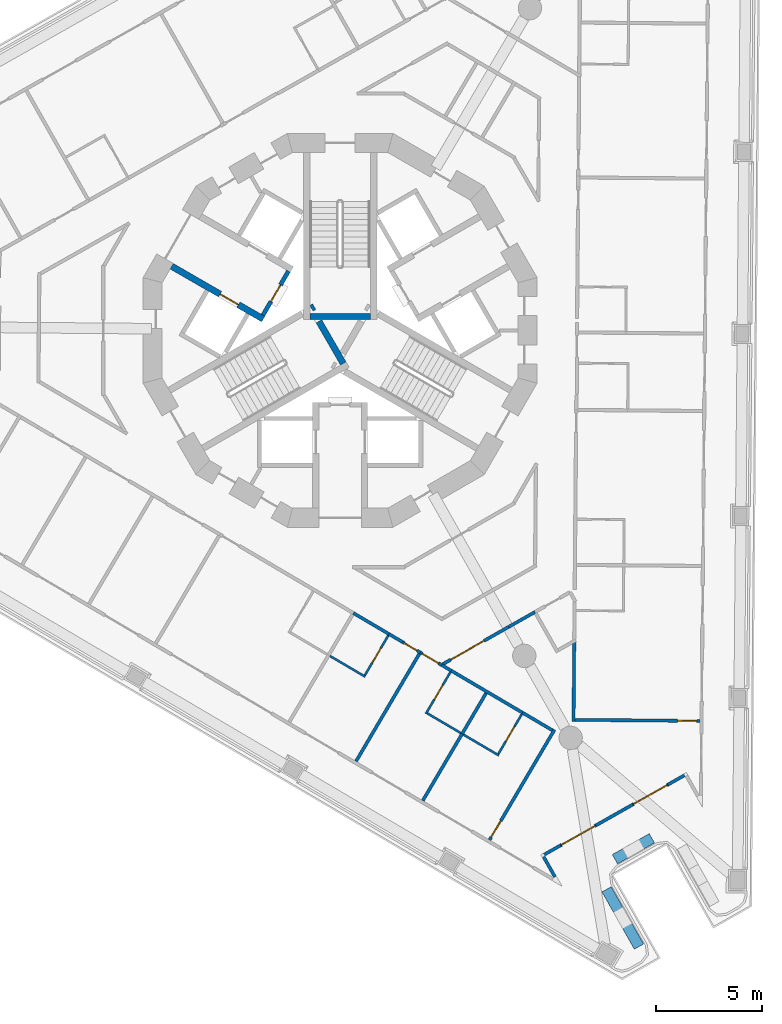
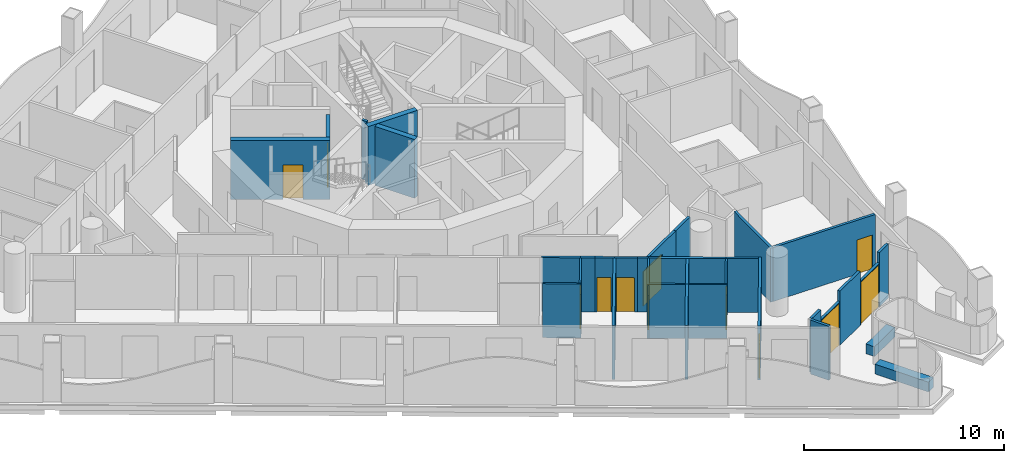
# One storey, part 4 of 17: 34 walls, 12 doors, 12 openings.
"""IFC4 building model written with IfcOpenShell, lengths in metres."""

from ifc_helpers import new_model, si_unit, direction, frame, frame_2d, origin, place, context, subcontext, project, spatial, polyline, rectangle, outline, extrude, material, layer, layer_set, type_object, element, fill, save


model = new_model("IFC4")

# Units and contexts
model_context = context("Model", 3, precision=1e-05, world=origin(), true_north=direction((0.0, 1.0)))
body_context = subcontext(model_context, "Body", "Model", "MODEL_VIEW")
ifc_project = project(units=[si_unit("LENGTHUNIT", "METRE"), si_unit("AREAUNIT", "SQUARE_METRE"), si_unit("VOLUMEUNIT", "CUBIC_METRE"), si_unit("PLANEANGLEUNIT", "RADIAN"), si_unit("MASSUNIT", "GRAM", prefix="KILO")], contexts=[model_context])

# Site, building, storey
site_placement = place(None, origin())
site = spatial("IfcSite", under=ifc_project, at=site_placement, CompositionType="ELEMENT")
building_placement = place(site_placement, origin())
building = spatial("IfcBuilding", under=site, at=building_placement, Name="Trine Commons Tower", CompositionType="ELEMENT")
storey_placement = place(building_placement, frame((0.0, 0.0, 182.699951171875)))
storey = spatial("IfcBuildingStorey", under=building, at=storey_placement, Name="L47", CompositionType="ELEMENT", Elevation=182.699951171875)

# Wall
ifc_material_1 = material(Name="Aluminium-framed insulated wall panel", Category="aluminium")
ifc_layer_1 = layer(ifc_material_1, 0.14990234375)
ifc_layer_set_1 = layer_set([ifc_layer_1], Name="Aluminium-framed insulated wall panel")
wall_type_1 = type_object("IfcWallType", Name="Glazed frame wall 150, EI 60", PredefinedType="SOLIDWALL", material=ifc_layer_set_1)
wall_1_placement = place(storey_placement, frame((96.30078125, 41.6083984375, 0.0), z_axis=(0.0, 0.0, 1.0), x_axis=(-0.870353598469, -0.492427267353, 0.0)))
element("IfcWall", 1, at=wall_1_placement, inside=storey, type_object=wall_type_1, Name="Glazed frame wall P3.1", PredefinedType="SOLIDWALL", context=body_context, shape_type="SweptSolid", body=[
    extrude(outline(polyline([(0.110107421875, -0.074951171875), (1.0, -0.074951171875), (1.0, 0.074951171875), (0.110107421875, 0.074951171875), (0.110107421875, -0.074951171875)])), origin(), (0.0, 0.0, 1.0), 3.300048828125),
])

# Wall, opening, door
wall_2_placement = place(storey_placement, frame((95.430419921875, 41.115966796875, 0.0), z_axis=(0.0, 0.0, 1.0), x_axis=(-0.870354540841, -0.492425601728, 0.0)))
wall_2 = element("IfcWall", 2, at=wall_2_placement, inside=storey, type_object=wall_type_1, Name="Glazed frame wall P3.2", PredefinedType="SOLIDWALL", context=body_context, shape_type="SweptSolid", body=[
    extrude(outline(polyline([(0.0, -0.074951171875), (1.89990234375, -0.074951171875), (1.89990234375, 0.074951171875), (0.0, 0.074951171875), (0.0, -0.074951171875)])), origin(), (0.0, 0.0, 1.0), 2.650146484375),
])
opening_1_placement = place(wall_2_placement, frame((0.050048828125, 0.0, 0.0)))
opening_1 = element("IfcOpeningElement", 3, at=opening_1_placement, cuts=wall_2, Name="Opening BD-5P3-01", PredefinedType="OPENING", context=body_context, shape_type="SweptSolid", body=[
    extrude(rectangle(XDim=1.800048828125, YDim=2.60009765625, at=frame_2d((0.89990234375, 1.300048828125))), frame((0.0, 0.0849609375, 0.0), z_axis=(0.0, -1.0, 0.0), x_axis=(1.0, 0.0, 0.0)), (0.0, 0.0, 1.0), 0.169921875),
])
ifc_material_2 = material(Name="Anodised aluminium frame with double glazing", Category="aluminium")
door_type_1 = type_object("IfcDoorType", Name="Sliding loggia door 1800x2600", OperationType="SLIDING_TO_LEFT", PredefinedType="DOOR", material=ifc_material_2)
door_1_placement = place(opening_1_placement, origin())
door_1 = element("IfcDoor", 4, at=door_1_placement, inside=storey, type_object=door_type_1, Name="Loggia door P3 1", OperationType="SLIDING_TO_LEFT", OverallHeight=2.60009765625, OverallWidth=1.800048828125, PredefinedType="DOOR", context=body_context, shape_type="SweptSolid", body=[
    extrude(rectangle(XDim=1.800048828125, YDim=2.60009765625, at=frame_2d((0.89990234375, 1.300048828125))), frame((0.0, 0.02490234375, 0.0), z_axis=(0.0, -1.0, 0.0), x_axis=(1.0, 0.0, 0.0)), (0.0, 0.0, 1.0), 0.050048828125),
])
fill(opening_1, door_1)

# Wall
wall_3_placement = place(storey_placement, frame((93.77685546875, 40.180419921875, 0.0), z_axis=(0.0, 0.0, 1.0), x_axis=(-0.870353598469, -0.492427267353, 0.0)))
element("IfcWall", 5, at=wall_3_placement, inside=storey, type_object=wall_type_1, Name="Glazed frame wall P3.3", PredefinedType="SOLIDWALL", context=body_context, shape_type="SweptSolid", body=[
    extrude(outline(polyline([(0.0, -0.074951171875), (2.0, -0.074951171875), (2.0, 0.074951171875), (0.0, 0.074951171875), (0.0, -0.074951171875)])), origin(), (0.0, 0.0, 1.0), 3.300048828125),
])

# Wall, opening, door
wall_4_placement = place(storey_placement, frame((92.0361328125, 39.195556640625, 0.0), z_axis=(0.0, 0.0, 1.0), x_axis=(-0.870385695537, -0.492370532226, 0.0)))
wall_4 = element("IfcWall", 6, at=wall_4_placement, inside=storey, type_object=wall_type_1, Name="Glazed frame wall P3.4", PredefinedType="SOLIDWALL", context=body_context, shape_type="SweptSolid", body=[
    extrude(outline(polyline([(0.0, -0.074951171875), (1.89990234375, -0.074951171875), (1.89990234375, 0.074951171875), (0.0, 0.074951171875), (0.0, -0.074951171875)])), origin(), (0.0, 0.0, 1.0), 2.650146484375),
])
opening_2_placement = place(wall_4_placement, frame((0.050048828125, 0.0, 0.0)))
opening_2 = element("IfcOpeningElement", 7, at=opening_2_placement, cuts=wall_4, Name="Opening BD-5P3-02", PredefinedType="OPENING", context=body_context, shape_type="SweptSolid", body=[
    extrude(rectangle(XDim=1.800048828125, YDim=2.60009765625, at=frame_2d((0.89990234375, 1.300048828125))), frame((0.0, 0.0849609375, 0.0), z_axis=(0.0, -1.0, 0.0), x_axis=(1.0, 0.0, 0.0)), (0.0, 0.0, 1.0), 0.169921875),
])
door_2_placement = place(opening_2_placement, origin())
door_2 = element("IfcDoor", 8, at=door_2_placement, inside=storey, type_object=door_type_1, Name="Loggia door P3 2", OperationType="SLIDING_TO_LEFT", OverallHeight=2.60009765625, OverallWidth=1.800048828125, PredefinedType="DOOR", context=body_context, shape_type="SweptSolid", body=[
    extrude(rectangle(XDim=1.800048828125, YDim=2.60009765625, at=frame_2d((0.89990234375, 1.300048828125))), frame((0.0, 0.02490234375, 0.0), z_axis=(0.0, -1.0, 0.0), x_axis=(1.0, 0.0, 0.0)), (0.0, 0.0, 1.0), 0.050048828125),
])
fill(opening_2, door_2)

# Walls
wall_5_placement = place(storey_placement, frame((90.38232421875, 38.260009765625, 0.0), z_axis=(0.0, 0.0, 1.0), x_axis=(-0.870294379776, -0.492531920316, 0.0)))
element("IfcWall", 9, at=wall_5_placement, inside=storey, type_object=wall_type_1, Name="Glazed frame wall P3.5", PredefinedType="SOLIDWALL", context=body_context, shape_type="SweptSolid", body=[
    extrude(outline(polyline([(0.889892578125, 0.074951171875), (0.0, 0.074951171875), (0.0, -0.074951171875), (0.889892578125, -0.074951171875), (0.889892578125, 0.074951171875)])), origin(), (0.0, 0.0, 1.0), 3.300048828125),
])
wall_6_placement = place(storey_placement, frame((89.525390625, 37.815185546875, 0.0), z_axis=(0.0, 0.0, 1.0), x_axis=(0.492302481267, -0.870424187933, 0.0)))
element("IfcWall", 10, at=wall_6_placement, inside=storey, type_object=wall_type_1, Name="Glazed frame wall R11", PredefinedType="SOLIDWALL", context=body_context, shape_type="SweptSolid", body=[
    extrude(outline(polyline([(0.110107421875, 0.074951171875), (0.110107421875, -0.074951171875), (1.19580078125, -0.074951171875), (1.19580078125, 0.074951171875), (0.110107421875, 0.074951171875)])), origin(), (0.0, 0.0, 1.0), 3.300048828125),
])

# Wall, opening, door
ifc_material_3 = material(Name="Fire-rated gypsum shaft wall system")
ifc_layer_2 = layer(ifc_material_3, 0.199951171875)
ifc_layer_set_2 = layer_set([ifc_layer_2], Name="Fire-rated gypsum shaft wall system")
wall_type_2 = type_object("IfcWallType", Name="Lobby end wall 200 mm, EI 120", PredefinedType="PARTITIONING", material=ifc_layer_set_2)
wall_7_placement = place(storey_placement, frame((77.569091796875, 65.2890625, 0.0), z_axis=(0.0, 0.0, 1.0), x_axis=(-0.50012165622, -0.865955154139, 0.0)))
wall_7 = element("IfcWall", 11, at=wall_7_placement, inside=storey, type_object=wall_type_2, Name="Lobby end wall L47", PredefinedType="PARTITIONING", context=body_context, shape_type="SweptSolid", body=[
    extrude(rectangle(XDim=2.39990234375, YDim=0.199951171875, at=frame_2d((1.199951171875, 0.0))), origin(), (0.0, 0.0, 1.0), 3.300048828125),
])
opening_3_placement = place(wall_7_placement, frame((0.749755859375, 0.0, 0.0)))
opening_3 = element("IfcOpeningElement", 12, at=opening_3_placement, cuts=wall_7, Name="Opening K10.07", PredefinedType="OPENING", context=body_context, shape_type="SweptSolid", body=[
    extrude(rectangle(XDim=0.89990234375, YDim=2.10009765625, at=frame_2d((0.449951171875, 1.050048828125))), frame((0.0, 0.10986328125, 0.0), z_axis=(0.0, -1.0, 0.0), x_axis=(1.0, 0.0, 0.0)), (0.0, 0.0, 1.0), 0.219970703125),
])
ifc_material_4 = material(Name="Steel door leaf, fire-rated", Category="steel")
door_type_2 = type_object("IfcDoorType", Name="Riser access door, single leaf 900 x 2100, FD60", OperationType="SINGLE_SWING_LEFT", PredefinedType="DOOR", material=ifc_material_4)
door_3_placement = place(opening_3_placement, frame((0.89990234375, 0.0, 0.0), z_axis=(0.0, 0.0, 1.0), x_axis=(-1.0, 0.0, 0.0)))
door_3 = element("IfcDoor", 13, at=door_3_placement, inside=storey, type_object=door_type_2, Name="Riser door, Mechanical riser L47", OperationType="SINGLE_SWING_RIGHT", OverallHeight=2.10009765625, OverallWidth=0.89990234375, PredefinedType="DOOR", context=body_context, shape_type="SweptSolid", body=[
    extrude(rectangle(XDim=0.89990234375, YDim=2.10009765625, at=frame_2d((0.449951171875, 1.050048828125))), frame((0.0, 0.02490234375, 0.0), z_axis=(0.0, -1.0, 0.0), x_axis=(1.0, 0.0, 0.0)), (0.0, 0.0, 1.0), 0.050048828125),
])
fill(opening_3, door_3)

# Walls
ifc_material_5 = material(Name="Planter trough, precast concrete C40/50", Category="concrete")
ifc_layer_3 = layer(ifc_material_5, 0.5)
ifc_layer_set_3 = layer_set([ifc_layer_3], Name="Planter trough, precast concrete C40/50")
wall_type_3 = type_object("IfcWallType", Name="Planter trough 500x600", PredefinedType="PARAPET", material=ifc_layer_set_3)
wall_8_placement = place(storey_placement, frame((94.67529296875, 38.592041015625, 0.0), z_axis=(0.0, 0.0, 1.0), x_axis=(-0.870323993841, -0.492479589165, 0.0)))
element("IfcWall", 14, at=wall_8_placement, inside=storey, type_object=wall_type_3, Name="Planter 8", PredefinedType="PARAPET", context=body_context, shape_type="SweptSolid", body=[
    extrude(rectangle(XDim=1.999755859375, YDim=0.5, at=frame_2d((1.0, 0.0))), origin(), (0.0, 0.0, 1.0), 0.60009765625),
])
wall_9_placement = place(storey_placement, frame((92.541748046875, 36.189697265625, 0.0), z_axis=(0.0, 0.0, 1.0), x_axis=(0.492402381783, -0.870367677717, 0.0)))
element("IfcWall", 15, at=wall_9_placement, inside=storey, type_object=wall_type_3, Name="Planter 9", PredefinedType="PARAPET", context=body_context, shape_type="SweptSolid", body=[
    extrude(rectangle(XDim=3.099853515625, YDim=0.5, at=frame_2d((1.5498046875, 0.0))), origin(), (0.0, 0.0, 1.0), 0.60009765625),
])

# Wall, opening, door
ifc_material_6 = material(Name="Concrete C60/75", Category="concrete")
ifc_layer_4 = layer(ifc_material_6, 0.300048828125)
ifc_layer_set_4 = layer_set([ifc_layer_4], Name="Concrete C60/75")
wall_type_4 = type_object("IfcWallType", Name="RC shear wall 300 mm, C60/75", PredefinedType="SHEAR", material=ifc_layer_set_4)
wall_10_placement = place(storey_placement, frame((76.381103515625, 63.031005859375, 0.0), z_axis=(0.0, 0.0, 1.0), x_axis=(-0.866080953719, 0.499903772346, 0.0)))
wall_10 = element("IfcWall", 16, at=wall_10_placement, inside=storey, type_object=wall_type_4, Name="Core cross wall SWB-01 L47", PredefinedType="SHEAR", context=body_context, shape_type="SweptSolid", body=[
    extrude(rectangle(XDim=4.97314453125, YDim=0.300048828125, at=frame_2d((2.486572265625, 0.0))), origin(), (0.0, 0.0, 1.0), 3.60009765625),
])
opening_4_placement = place(wall_10_placement, frame((1.350341796875, 0.0, 0.0)))
opening_4 = element("IfcOpeningElement", 17, at=opening_4_placement, cuts=wall_10, Name="Opening LD7", PredefinedType="OPENING", context=body_context, shape_type="SweptSolid", body=[
    extrude(rectangle(XDim=1.0, YDim=2.10009765625, at=frame_2d((0.5, 1.050048828125))), frame((0.0, 0.159912109375, 0.0), z_axis=(0.0, -1.0, 0.0), x_axis=(1.0, 0.0, 0.0)), (0.0, 0.0, 1.0), 0.320068359375),
])
ifc_material_7 = material(Name="Stainless steel sliding door leaves", Category="steel")
door_type_3 = type_object("IfcDoorType", Name="Lift landing door, centre-opening sliding 1000 x 2100, FD90", OperationType="DOUBLE_DOOR_SLIDING", PredefinedType="DOOR", material=ifc_material_7)
door_4_placement = place(opening_4_placement, origin())
door_4 = element("IfcDoor", 18, at=door_4_placement, inside=storey, type_object=door_type_3, Name="Lift landing door HR3 L47", OperationType="DOUBLE_DOOR_SLIDING", OverallHeight=2.10009765625, OverallWidth=1.0, PredefinedType="DOOR", context=body_context, shape_type="SweptSolid", body=[
    extrude(rectangle(XDim=1.0, YDim=2.10009765625, at=frame_2d((0.5, 1.050048828125))), frame((0.0, 0.02490234375, 0.0), z_axis=(0.0, -1.0, 0.0), x_axis=(1.0, 0.0, 0.0)), (0.0, 0.0, 1.0), 0.050048828125),
])
fill(opening_4, door_4)

# Walls
wall_11_placement = place(storey_placement, frame((78.779052734375, 63.614013671875, 0.0), z_axis=(0.0, 0.0, 1.0), x_axis=(-0.867737973955, -0.497021939713, 0.0)))
element("IfcWall", 19, at=wall_11_placement, inside=storey, type_object=wall_type_4, Name="Core cross wall SWB-09 L47", PredefinedType="SHEAR", context=body_context, shape_type="SweptSolid", body=[
    extrude(rectangle(XDim=0.14892578125, YDim=0.300048828125, at=frame_2d((0.074462890625, 0.0))), origin(), (0.0, 0.0, 1.0), 3.60009765625),
])
wall_12_placement = place(storey_placement, frame((79.0029296875, 62.926025390625, 0.0), z_axis=(0.0, 0.0, 1.0), x_axis=(0.499965247104, -0.866045467449, 0.0)))
element("IfcWall", 20, at=wall_12_placement, inside=storey, type_object=wall_type_4, Name="Core cross wall SWB-10 L47", PredefinedType="SHEAR", context=body_context, shape_type="SweptSolid", body=[
    extrude(rectangle(XDim=2.292236328125, YDim=0.300048828125, at=frame_2d((1.14599609375, 0.0))), origin(), (0.0, 0.0, 1.0), 3.60009765625),
])
wall_13_placement = place(storey_placement, frame((81.425048828125, 63.15087890625, 0.0), z_axis=(0.0, 0.0, 1.0), x_axis=(-1.0, 0.0, 0.0)))
element("IfcWall", 21, at=wall_13_placement, inside=storey, type_object=wall_type_4, Name="Core cross wall SWB-16 L47", PredefinedType="SHEAR", context=body_context, shape_type="SweptSolid", body=[
    extrude(rectangle(XDim=2.85009765625, YDim=0.300048828125, at=frame_2d((1.425048828125, 0.0))), origin(), (0.0, 0.0, 1.0), 3.60009765625),
])
ifc_material_8 = material(Name="Gypsum plasterboard on steel stud", Category="steel")
ifc_layer_5 = layer(ifc_material_8, 0.14990234375)
ifc_layer_set_5 = layer_set([ifc_layer_5], Name="Gypsum plasterboard on steel stud")
wall_type_5 = type_object("IfcWallType", Name="Unit and corridor wall 150 mm, EI 60", PredefinedType="PARTITIONING", material=ifc_layer_set_5)
wall_14_placement = place(storey_placement, frame((80.6240234375, 49.194091796875, 0.0), z_axis=(0.0, 0.0, 1.0), x_axis=(0.861395924151, -0.507934111727, 0.0)))
element("IfcWall", 22, at=wall_14_placement, inside=storey, type_object=wall_type_5, Name="Partition 056", PredefinedType="PARTITIONING", context=body_context, shape_type="SweptSolid", body=[
    extrude(rectangle(XDim=2.00732421875, YDim=0.14990234375, at=frame_2d((1.003662109375, 0.0))), origin(), (0.0, 0.0, 1.0), 3.300048828125),
])
wall_15_placement = place(storey_placement, frame((80.750244140625, 42.215576171875, 0.0), z_axis=(0.0, 0.0, 1.0), x_axis=(0.507497807972, 0.86165304787, 0.0)))
element("IfcWall", 23, at=wall_15_placement, inside=storey, type_object=wall_type_5, Name="Partition 059", PredefinedType="PARTITIONING", context=body_context, shape_type="SweptSolid", body=[
    extrude(rectangle(XDim=5.873291015625, YDim=0.14990234375, at=frame_2d((2.9365234375, 0.0))), origin(), (0.0, 0.0, 1.0), 3.300048828125),
])
wall_16_placement = place(storey_placement, frame((82.303955078125, 48.2041015625, 0.0), z_axis=(0.0, 0.0, 1.0), x_axis=(0.861676633233, -0.507457761532, 0.0)))
element("IfcWall", 24, at=wall_16_placement, inside=storey, type_object=wall_type_5, Name="Partition 066", PredefinedType="PARTITIONING", context=body_context, shape_type="SweptSolid", body=[
    extrude(rectangle(XDim=0.731201171875, YDim=0.14990234375, at=frame_2d((0.36572265625, 0.0))), origin(), (0.0, 0.0, 1.0), 3.300048828125),
])

# Wall, opening, door
wall_17_placement = place(storey_placement, frame((82.93408203125, 47.8330078125, 0.0), z_axis=(0.0, 0.0, 1.0), x_axis=(0.861475716629, -0.507798768864, 0.0)))
wall_17 = element("IfcWall", 25, at=wall_17_placement, inside=storey, type_object=wall_type_5, Name="Partition 067", PredefinedType="PARTITIONING", context=body_context, shape_type="SweptSolid", body=[
    extrude(rectangle(XDim=0.97265625, YDim=0.14990234375, at=frame_2d((0.486328125, 0.0))), origin(), (0.0, 0.0, 1.0), 3.300048828125),
])
opening_5_placement = place(wall_17_placement, frame((0.1005859375, 0.0, 0.0)))
opening_5 = element("IfcOpeningElement", 26, at=opening_5_placement, cuts=wall_17, Name="Opening D-5C22", PredefinedType="OPENING", context=body_context, shape_type="SweptSolid", body=[
    extrude(rectangle(XDim=0.699951171875, YDim=2.10009765625, at=frame_2d((0.35009765625, 1.050048828125))), frame((0.0, 0.0849609375, 0.0), z_axis=(0.0, -1.0, 0.0), x_axis=(1.0, 0.0, 0.0)), (0.0, 0.0, 1.0), 0.169921875),
])
ifc_material_9 = material(Name="Timber fire door set", Category="wood")
door_type_4 = type_object("IfcDoorType", Name="Bedroom door 700 x 2100, FD30S", OperationType="NOTDEFINED", PredefinedType="DOOR", material=ifc_material_9)
door_5_placement = place(opening_5_placement, frame((0.699951171875, 0.0, 0.0), z_axis=(0.0, 0.0, 1.0), x_axis=(-1.0, 0.0, 0.0)))
door_5 = element("IfcDoor", 27, at=door_5_placement, inside=storey, type_object=door_type_4, Name="Door D-5C22", OperationType="SINGLE_SWING_RIGHT", OverallHeight=2.10009765625, OverallWidth=0.699951171875, PredefinedType="DOOR", context=body_context, shape_type="SweptSolid", body=[
    extrude(rectangle(XDim=0.699951171875, YDim=2.10009765625, at=frame_2d((0.35009765625, 1.050048828125))), frame((0.0, 0.02490234375, 0.0), z_axis=(0.0, -1.0, 0.0), x_axis=(1.0, 0.0, 0.0)), (0.0, 0.0, 1.0), 0.050048828125),
])
fill(opening_5, door_5)

wall_18_placement = place(storey_placement, frame((83.76611328125, 47.343017578125, 0.0), z_axis=(0.0, 0.0, 1.0), x_axis=(0.861734818552, -0.507358948374, 0.0)))
wall_18 = element("IfcWall", 28, at=wall_18_placement, inside=storey, type_object=wall_type_5, Name="Partition 070", PredefinedType="PARTITIONING", context=body_context, shape_type="SweptSolid", body=[
    extrude(rectangle(XDim=1.1650390625, YDim=0.14990234375, at=frame_2d((0.58251953125, 0.0))), origin(), (0.0, 0.0, 1.0), 3.300048828125),
])
opening_6_placement = place(wall_18_placement, frame((0.109619140625, 0.0, 0.0)))
opening_6 = element("IfcOpeningElement", 29, at=opening_6_placement, cuts=wall_18, Name="Opening D-5C21", PredefinedType="OPENING", context=body_context, shape_type="SweptSolid", body=[
    extrude(rectangle(XDim=0.89990234375, YDim=2.10009765625, at=frame_2d((0.449951171875, 1.050048828125))), frame((0.0, 0.0849609375, 0.0), z_axis=(0.0, -1.0, 0.0), x_axis=(1.0, 0.0, 0.0)), (0.0, 0.0, 1.0), 0.169921875),
])
door_type_5 = type_object("IfcDoorType", Name="Bedroom door 900 x 2100, FD30S", OperationType="NOTDEFINED", PredefinedType="DOOR", material=ifc_material_9)
door_6_placement = place(opening_6_placement, frame((0.89990234375, 0.0, 0.0), z_axis=(0.0, 0.0, 1.0), x_axis=(-1.0, 0.0, 0.0)))
door_6 = element("IfcDoor", 30, at=door_6_placement, inside=storey, type_object=door_type_5, Name="Door D-5C21", OperationType="SINGLE_SWING_RIGHT", OverallHeight=2.10009765625, OverallWidth=0.89990234375, PredefinedType="DOOR", context=body_context, shape_type="SweptSolid", body=[
    extrude(rectangle(XDim=0.89990234375, YDim=2.10009765625, at=frame_2d((0.449951171875, 1.050048828125))), frame((0.0, 0.02490234375, 0.0), z_axis=(0.0, -1.0, 0.0), x_axis=(1.0, 0.0, 0.0)), (0.0, 0.0, 1.0), 0.050048828125),
])
fill(opening_6, door_6)

# Walls
wall_19_placement = place(storey_placement, frame((83.892333984375, 40.364501953125, 0.0), z_axis=(0.0, 0.0, 1.0), x_axis=(0.50751135469, 0.861645068959, 0.0)))
element("IfcWall", 31, at=wall_19_placement, inside=storey, type_object=wall_type_5, Name="Partition 071", PredefinedType="PARTITIONING", context=body_context, shape_type="SweptSolid", body=[
    extrude(rectangle(XDim=3.6484375, YDim=0.14990234375, at=frame_2d((1.82421875, 0.0))), origin(), (0.0, 0.0, 1.0), 3.300048828125),
])
wall_20_placement = place(storey_placement, frame((84.77001953125, 46.751953125, 0.0), z_axis=(0.0, 0.0, 1.0), x_axis=(0.861655023, -0.507494454491, 0.0)))
element("IfcWall", 32, at=wall_20_placement, inside=storey, type_object=wall_type_5, Name="Partition 077", PredefinedType="PARTITIONING", context=body_context, shape_type="SweptSolid", body=[
    extrude(rectangle(XDim=0.539794921875, YDim=0.14990234375, at=frame_2d((0.27001953125, 0.0))), origin(), (0.0, 0.0, 1.0), 3.300048828125),
])

# Wall, opening, door
wall_21_placement = place(storey_placement, frame((84.835205078125, 46.788818359375, 0.0), z_axis=(0.0, 0.0, 1.0), x_axis=(0.870381542182, 0.492377874228, 0.0)))
wall_21 = element("IfcWall", 33, at=wall_21_placement, inside=storey, type_object=wall_type_5, Name="Partition 078", PredefinedType="PARTITIONING", context=body_context, shape_type="SweptSolid", body=[
    extrude(rectangle(XDim=3.5625, YDim=0.14990234375, at=frame_2d((1.78125, 0.0))), origin(), (0.0, 0.0, 1.0), 2.75),
])
opening_7_placement = place(wall_21_placement, frame((0.435546875, 0.0, 0.0)))
opening_7 = element("IfcOpeningElement", 34, at=opening_7_placement, cuts=wall_21, Name="Opening D-5C02", PredefinedType="OPENING", context=body_context, shape_type="SweptSolid", body=[
    extrude(rectangle(XDim=1.800048828125, YDim=2.10009765625, at=frame_2d((0.89990234375, 1.050048828125))), frame((0.0, 0.0849609375, 0.0), z_axis=(0.0, -1.0, 0.0), x_axis=(1.0, 0.0, 0.0)), (0.0, 0.0, 1.0), 0.169921875),
])
door_type_6 = type_object("IfcDoorType", Name="Cluster entrance door 1800 x 2100, double leaf, FD30S", OperationType="DOUBLE_DOOR_DOUBLE_SWING", PredefinedType="DOOR", material=ifc_material_9)
door_7_placement = place(opening_7_placement, frame((1.800048828125, 0.0, 0.0), z_axis=(0.0, 0.0, 1.0), x_axis=(-1.0, 0.0, 0.0)))
door_7 = element("IfcDoor", 35, at=door_7_placement, inside=storey, type_object=door_type_6, Name="Door D-5C02", OperationType="DOUBLE_DOOR_DOUBLE_SWING", OverallHeight=2.10009765625, OverallWidth=1.800048828125, PredefinedType="DOOR", context=body_context, shape_type="SweptSolid", body=[
    extrude(rectangle(XDim=1.800048828125, YDim=2.10009765625, at=frame_2d((0.89990234375, 1.050048828125))), frame((0.0, 0.02490234375, 0.0), z_axis=(0.0, -1.0, 0.0), x_axis=(1.0, 0.0, 0.0)), (0.0, 0.0, 1.0), 0.050048828125),
])
fill(opening_7, door_7)

# Walls
wall_22_placement = place(storey_placement, frame((85.22900390625, 46.48193359375, 0.0), z_axis=(0.0, 0.0, 1.0), x_axis=(0.861496973754, -0.507762704629, 0.0)))
element("IfcWall", 36, at=wall_22_placement, inside=storey, type_object=wall_type_5, Name="Partition 084", PredefinedType="PARTITIONING", context=body_context, shape_type="SweptSolid", body=[
    extrude(rectangle(XDim=3.9072265625, YDim=0.14990234375, at=frame_2d((1.95361328125, 0.0))), origin(), (0.0, 0.0, 1.0), 3.300048828125),
])
wall_23_placement = place(storey_placement, frame((85.743896484375, 43.508056640625, 0.0), z_axis=(0.0, 0.0, 1.0), x_axis=(0.507719935198, 0.861522180447, 0.0)))
element("IfcWall", 37, at=wall_23_placement, inside=storey, type_object=wall_type_5, Name="Partition 085", PredefinedType="PARTITIONING", context=body_context, shape_type="SweptSolid", body=[
    extrude(rectangle(XDim=2.225341796875, YDim=0.14990234375, at=frame_2d((1.11279296875, 0.0))), origin(), (0.0, 0.0, 1.0), 3.300048828125),
])

# Wall, opening, door
wall_24_placement = place(storey_placement, frame((87.035400390625, 38.512451171875, 0.0), z_axis=(0.0, 0.0, 1.0), x_axis=(0.507392006532, 0.861715354225, 0.0)))
wall_24 = element("IfcWall", 38, at=wall_24_placement, inside=storey, type_object=wall_type_5, Name="Partition 089", PredefinedType="PARTITIONING", context=body_context, shape_type="SweptSolid", body=[
    extrude(rectangle(XDim=6.024169921875, YDim=0.14990234375, at=frame_2d((3.01220703125, 0.0))), origin(), (0.0, 0.0, 1.0), 3.300048828125),
])
opening_8_placement = place(wall_24_placement, frame((0.14990234375, 0.0, 0.0)))
opening_8 = element("IfcOpeningElement", 39, at=opening_8_placement, cuts=wall_24, Name="Opening D-5C20", PredefinedType="OPENING", context=body_context, shape_type="SweptSolid", body=[
    extrude(rectangle(XDim=0.89990234375, YDim=2.10009765625, at=frame_2d((0.449951171875, 1.050048828125))), frame((0.0, 0.0849609375, 0.0), z_axis=(0.0, -1.0, 0.0), x_axis=(1.0, 0.0, 0.0)), (0.0, 0.0, 1.0), 0.169921875),
])
door_8_placement = place(opening_8_placement, origin())
door_8 = element("IfcDoor", 40, at=door_8_placement, inside=storey, type_object=door_type_5, Name="Door D-5C20", OperationType="SINGLE_SWING_LEFT", OverallHeight=2.10009765625, OverallWidth=0.89990234375, PredefinedType="DOOR", context=body_context, shape_type="SweptSolid", body=[
    extrude(rectangle(XDim=0.89990234375, YDim=2.10009765625, at=frame_2d((0.449951171875, 1.050048828125))), frame((0.0, 0.02490234375, 0.0), z_axis=(0.0, -1.0, 0.0), x_axis=(1.0, 0.0, 0.0)), (0.0, 0.0, 1.0), 0.050048828125),
])
fill(opening_8, door_8)

# Walls
wall_25_placement = place(storey_placement, frame((87.93603515625, 48.54296875, 0.0), z_axis=(0.0, 0.0, 1.0), x_axis=(0.870505283706, 0.492159070871, 0.0)))
element("IfcWall", 41, at=wall_25_placement, inside=storey, type_object=wall_type_5, Name="Partition 093", PredefinedType="PARTITIONING", context=body_context, shape_type="SweptSolid", body=[
    extrude(rectangle(XDim=1.422119140625, YDim=0.14990234375, at=frame_2d((0.7109375, 0.0))), origin(), (0.0, 0.0, 1.0), 2.75),
])
wall_26_placement = place(storey_placement, frame((88.589111328125, 44.501953125, 0.0), z_axis=(0.0, 0.0, 1.0), x_axis=(0.861613540122, -0.507564880068, 0.0)))
element("IfcWall", 42, at=wall_26_placement, inside=storey, type_object=wall_type_5, Name="Partition 097", PredefinedType="PARTITIONING", context=body_context, shape_type="SweptSolid", body=[
    extrude(rectangle(XDim=1.625244140625, YDim=0.14990234375, at=frame_2d((0.8125, 0.0))), origin(), (0.0, 0.0, 1.0), 3.300048828125),
])
wall_27_placement = place(storey_placement, frame((90.98828125, 44.092041015625, 0.0), z_axis=(0.0, 0.0, 1.0), x_axis=(0.008789427608, 0.999961372235, 0.0)))
element("IfcWall", 43, at=wall_27_placement, inside=storey, type_object=wall_type_5, Name="Partition 105", PredefinedType="PARTITIONING", context=body_context, shape_type="SweptSolid", body=[
    extrude(rectangle(XDim=3.72216796875, YDim=0.14990234375, at=frame_2d((1.861083984375, 0.0))), origin(), (0.0, 0.0, 1.0), 3.300048828125),
])

# Wall, opening, door
wall_28_placement = place(storey_placement, frame((91.06396484375, 44.166259765625, 0.0), z_axis=(0.0, 0.0, 1.0), x_axis=(0.999962273479, -0.008686289076, 0.0)))
wall_28 = element("IfcWall", 44, at=wall_28_placement, inside=storey, type_object=wall_type_5, Name="Partition 106", PredefinedType="PARTITIONING", context=body_context, shape_type="SweptSolid", body=[
    extrude(rectangle(XDim=5.874267578125, YDim=0.14990234375, at=frame_2d((2.93701171875, 0.0))), origin(), (0.0, 0.0, 1.0), 3.300048828125),
])
opening_9_placement = place(wall_28_placement, frame((4.82421875, 0.0, 0.0)))
opening_9 = element("IfcOpeningElement", 45, at=opening_9_placement, cuts=wall_28, Name="Opening D-5C19", PredefinedType="OPENING", context=body_context, shape_type="SweptSolid", body=[
    extrude(rectangle(XDim=0.89990234375, YDim=2.10009765625, at=frame_2d((0.449951171875, 1.050048828125))), frame((0.0, 0.0849609375, 0.0), z_axis=(0.0, -1.0, 0.0), x_axis=(1.0, 0.0, 0.0)), (0.0, 0.0, 1.0), 0.169921875),
])
door_9_placement = place(opening_9_placement, origin())
door_9 = element("IfcDoor", 46, at=door_9_placement, inside=storey, type_object=door_type_5, Name="Door D-5C19", OperationType="SINGLE_SWING_RIGHT", OverallHeight=2.10009765625, OverallWidth=0.89990234375, PredefinedType="DOOR", context=body_context, shape_type="SweptSolid", body=[
    extrude(rectangle(XDim=0.89990234375, YDim=2.10009765625, at=frame_2d((0.449951171875, 1.050048828125))), frame((0.0, 0.02490234375, 0.0), z_axis=(0.0, -1.0, 0.0), x_axis=(1.0, 0.0, 0.0)), (0.0, 0.0, 1.0), 0.050048828125),
])
fill(opening_9, door_9)

# Wall
ifc_layer_6 = layer(ifc_material_8, 0.10009765625)
ifc_layer_set_6 = layer_set([ifc_layer_6], Name="Gypsum plasterboard on steel stud")
wall_type_6 = type_object("IfcWallType", Name="Unit partition 100 mm, no rating", PredefinedType="PARTITIONING", material=ifc_layer_set_6)
wall_29_placement = place(storey_placement, frame((79.523681640625, 47.172119140625, 0.0), z_axis=(0.0, 0.0, 1.0), x_axis=(0.861836412555, -0.507186354306, 0.0)))
element("IfcWall", 47, at=wall_29_placement, inside=storey, type_object=wall_type_6, Name="Partition 054", PredefinedType="PARTITIONING", context=body_context, shape_type="SweptSolid", body=[
    extrude(rectangle(XDim=1.925537109375, YDim=0.10009765625, at=frame_2d((0.962890625, 0.0))), origin(), (0.0, 0.0, 1.0), 3.300048828125),
])

# Wall, opening, door
wall_30_placement = place(storey_placement, frame((81.165283203125, 46.26416015625, 0.0), z_axis=(0.0, 0.0, 1.0), x_axis=(0.507559836999, 0.861616510906, 0.0)))
wall_30 = element("IfcWall", 48, at=wall_30_placement, inside=storey, type_object=wall_type_6, Name="Partition 064", PredefinedType="PARTITIONING", context=body_context, shape_type="SweptSolid", body=[
    extrude(rectangle(XDim=2.174072265625, YDim=0.10009765625, at=frame_2d((1.0869140625, 0.0))), origin(), (0.0, 0.0, 1.0), 3.300048828125),
])
opening_10_placement = place(wall_30_placement, frame((0.68701171875, 0.0, 0.0)))
opening_10 = element("IfcOpeningElement", 49, at=opening_10_placement, cuts=wall_30, Name="Opening D-5C48", PredefinedType="OPENING", context=body_context, shape_type="SweptSolid", body=[
    extrude(rectangle(XDim=0.800048828125, YDim=2.10009765625, at=frame_2d((0.39990234375, 1.050048828125))), frame((0.0, 0.06005859375, 0.0), z_axis=(0.0, -1.0, 0.0), x_axis=(1.0, 0.0, 0.0)), (0.0, 0.0, 1.0), 0.1201171875),
])
ifc_material_10 = material(Name="Painted timber", Category="wood")
door_type_7 = type_object("IfcDoorType", Name="Internal door 800 x 2100, NOT RATED", OperationType="NOTDEFINED", PredefinedType="DOOR", material=ifc_material_10)
door_10_placement = place(opening_10_placement, frame((0.800048828125, 0.0, 0.0), z_axis=(0.0, 0.0, 1.0), x_axis=(-1.0, 0.0, 0.0)))
door_10 = element("IfcDoor", 50, at=door_10_placement, inside=storey, type_object=door_type_7, Name="Door D-5C48", OperationType="SINGLE_SWING_RIGHT", OverallHeight=2.10009765625, OverallWidth=0.800048828125, PredefinedType="DOOR", context=body_context, shape_type="SweptSolid", body=[
    extrude(rectangle(XDim=0.800048828125, YDim=2.10009765625, at=frame_2d((0.39990234375, 1.050048828125))), frame((0.0, 0.02490234375, 0.0), z_axis=(0.0, -1.0, 0.0), x_axis=(1.0, 0.0, 0.0)), (0.0, 0.0, 1.0), 0.050048828125),
])
fill(opening_10, door_10)

wall_31_placement = place(storey_placement, frame((84.03857421875, 44.454833984375, 0.0), z_axis=(0.0, 0.0, 1.0), x_axis=(0.50769515182, 0.861536785528, 0.0)))
wall_31 = element("IfcWall", 51, at=wall_31_placement, inside=storey, type_object=wall_type_6, Name="Partition 072", PredefinedType="PARTITIONING", context=body_context, shape_type="SweptSolid", body=[
    extrude(rectangle(XDim=2.275634765625, YDim=0.10009765625, at=frame_2d((1.1376953125, 0.0))), origin(), (0.0, 0.0, 1.0), 3.300048828125),
])
opening_11_placement = place(wall_31_placement, frame((0.7626953125, 0.0, 0.0)))
opening_11 = element("IfcOpeningElement", 52, at=opening_11_placement, cuts=wall_31, Name="Opening D-5C47", PredefinedType="OPENING", context=body_context, shape_type="SweptSolid", body=[
    extrude(rectangle(XDim=0.800048828125, YDim=2.10009765625, at=frame_2d((0.39990234375, 1.050048828125))), frame((0.0, 0.06005859375, 0.0), z_axis=(0.0, -1.0, 0.0), x_axis=(1.0, 0.0, 0.0)), (0.0, 0.0, 1.0), 0.1201171875),
])
door_11_placement = place(opening_11_placement, origin())
door_11 = element("IfcDoor", 53, at=door_11_placement, inside=storey, type_object=door_type_7, Name="Door D-5C47", OperationType="SINGLE_SWING_RIGHT", OverallHeight=2.10009765625, OverallWidth=0.800048828125, PredefinedType="DOOR", context=body_context, shape_type="SweptSolid", body=[
    extrude(rectangle(XDim=0.800048828125, YDim=2.10009765625, at=frame_2d((0.39990234375, 1.050048828125))), frame((0.0, 0.02490234375, 0.0), z_axis=(0.0, -1.0, 0.0), x_axis=(1.0, 0.0, 0.0)), (0.0, 0.0, 1.0), 0.050048828125),
])
fill(opening_11, door_11)

# Walls
wall_32_placement = place(storey_placement, frame((84.107177734375, 44.47265625, 0.0), z_axis=(0.0, 0.0, 1.0), x_axis=(0.861538461538, -0.507692307692, 0.0)))
element("IfcWall", 54, at=wall_32_placement, inside=storey, type_object=wall_type_6, Name="Partition 073", PredefinedType="PARTITIONING", context=body_context, shape_type="SweptSolid", body=[
    extrude(rectangle(XDim=1.824951171875, YDim=0.10009765625, at=frame_2d((0.91259765625, 0.0))), origin(), (0.0, 0.0, 1.0), 3.300048828125),
])
wall_33_placement = place(storey_placement, frame((85.80859375, 43.469970703125, 0.0), z_axis=(0.0, 0.0, 1.0), x_axis=(0.861891835241, -0.507092165533, 0.0)))
element("IfcWall", 55, at=wall_33_placement, inside=storey, type_object=wall_type_6, Name="Partition 086", PredefinedType="PARTITIONING", context=body_context, shape_type="SweptSolid", body=[
    extrude(rectangle(XDim=1.92529296875, YDim=0.10009765625, at=frame_2d((0.962646484375, 0.0))), origin(), (0.0, 0.0, 1.0), 3.300048828125),
])

# Wall, opening, door
wall_34_placement = place(storey_placement, frame((87.450439453125, 42.56201171875, 0.0), z_axis=(0.0, 0.0, 1.0), x_axis=(0.507559836999, 0.861616510906, 0.0)))
wall_34 = element("IfcWall", 56, at=wall_34_placement, inside=storey, type_object=wall_type_6, Name="Partition 090", PredefinedType="PARTITIONING", context=body_context, shape_type="SweptSolid", body=[
    extrude(rectangle(XDim=2.174072265625, YDim=0.10009765625, at=frame_2d((1.0869140625, 0.0))), origin(), (0.0, 0.0, 1.0), 3.300048828125),
])
opening_12_placement = place(wall_34_placement, frame((0.68701171875, 0.0, 0.0)))
opening_12 = element("IfcOpeningElement", 57, at=opening_12_placement, cuts=wall_34, Name="Opening D-5C46", PredefinedType="OPENING", context=body_context, shape_type="SweptSolid", body=[
    extrude(rectangle(XDim=0.800048828125, YDim=2.10009765625, at=frame_2d((0.39990234375, 1.050048828125))), frame((0.0, 0.06005859375, 0.0), z_axis=(0.0, -1.0, 0.0), x_axis=(1.0, 0.0, 0.0)), (0.0, 0.0, 1.0), 0.1201171875),
])
door_12_placement = place(opening_12_placement, frame((0.800048828125, 0.0, 0.0), z_axis=(0.0, 0.0, 1.0), x_axis=(-1.0, 0.0, 0.0)))
door_12 = element("IfcDoor", 58, at=door_12_placement, inside=storey, type_object=door_type_7, Name="Door D-5C46", OperationType="SINGLE_SWING_RIGHT", OverallHeight=2.10009765625, OverallWidth=0.800048828125, PredefinedType="DOOR", context=body_context, shape_type="SweptSolid", body=[
    extrude(rectangle(XDim=0.800048828125, YDim=2.10009765625, at=frame_2d((0.39990234375, 1.050048828125))), frame((0.0, 0.02490234375, 0.0), z_axis=(0.0, -1.0, 0.0), x_axis=(1.0, 0.0, 0.0)), (0.0, 0.0, 1.0), 0.050048828125),
])
fill(opening_12, door_12)

save(model, "model.ifc")
